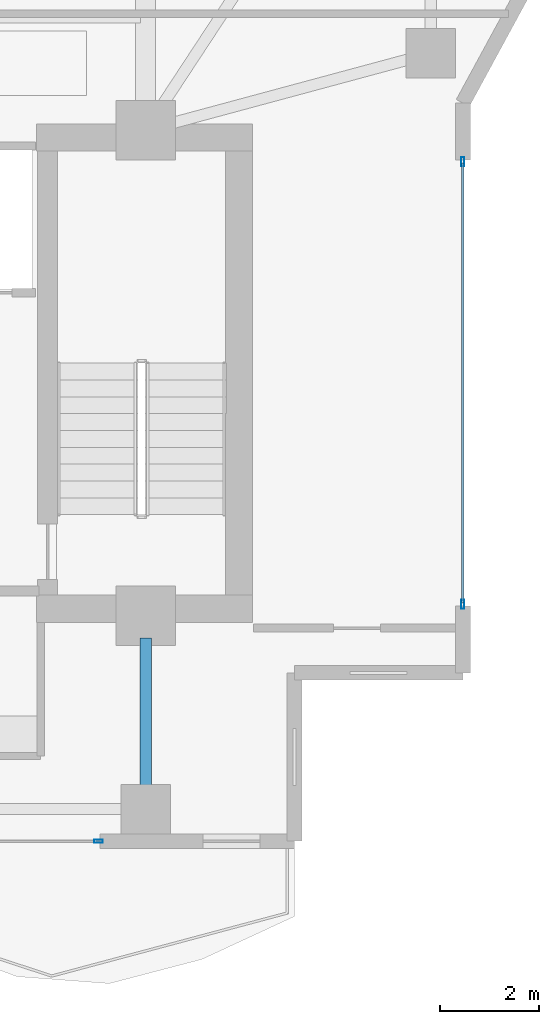
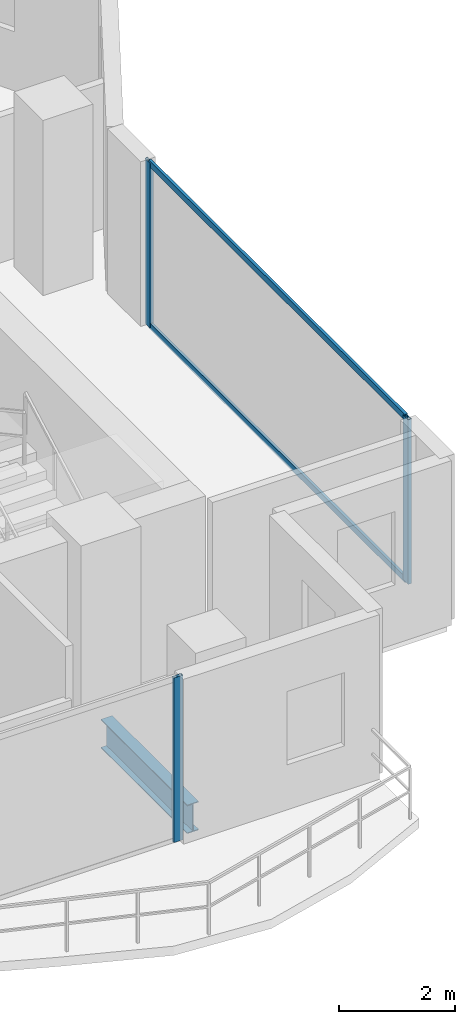
# One storey, part 10 of 24: 5 members, 1 beam, 2 elements without a shape of their own.
"""IFC4 building model written with IfcOpenShell, lengths in metres."""

from ifc_helpers import new_model, si_unit, direction, frame, origin, origin_2d, place, context, subcontext, project, spatial, hollow_rectangle, i_section, extrude, material, layer, layer_set, material_profile, profile_set, type_object, element, aggregate, save


model = new_model("IFC4")

# Units and contexts
model_context = context("Model", 3, precision=1e-05, world=origin(), true_north=direction((0.0, 1.0)))
body_context = subcontext(model_context, "Body", "Model", "MODEL_VIEW")
ifc_project = project(units=[si_unit("LENGTHUNIT", "METRE"), si_unit("AREAUNIT", "SQUARE_METRE"), si_unit("VOLUMEUNIT", "CUBIC_METRE"), si_unit("PLANEANGLEUNIT", "RADIAN"), si_unit("MASSUNIT", "GRAM", prefix="KILO")], contexts=[model_context])

# Site, building, storey
site_placement = place(None, origin())
site = spatial("IfcSite", under=ifc_project, at=site_placement, CompositionType="ELEMENT")
building_placement = place(site_placement, origin())
building = spatial("IfcBuilding", under=site, at=building_placement, Name="Zuhayl Quay Hotel", CompositionType="ELEMENT")
storey_placement = place(building_placement, frame((0.0, 0.0, 276.64990234375)))
storey = spatial("IfcBuildingStorey", under=building, at=storey_placement, Name="L70", CompositionType="ELEMENT", Elevation=276.64990234375)

# Beam
ifc_material_1 = material(Name="Steel ASTM A992 Grade 50", Category="steel")
ifc_material_profile_1 = material_profile(ifc_material_1, i_section(OverallWidth=0.22802734375, OverallDepth=0.60693359375, WebThickness=0.01123046875, FlangeThickness=0.017333984375, at=origin_2d()), Name="W24X76")
ifc_profile_set_1 = profile_set([ifc_material_profile_1], Name="Steel ASTM A992 Grade 50")
beam_type = type_object("IfcBeamType", Name="BM_B3_W24X76", PredefinedType="BEAM", material=ifc_profile_set_1)
beam_placement = place(storey_placement, frame((13.800048828125, 1.110107421875, -0.5234375), z_axis=(0.0, 1.0, 0.0), x_axis=(-1.0, 0.0, 0.0)))
element("IfcBeam", 1, at=beam_placement, inside=storey, type_object=beam_type, Name="L70 Floor Beam FG_S_L70_4", PredefinedType="BEAM", context=body_context, shape_type="SweptSolid", body=[
    extrude(i_section(OverallWidth=0.22802734375, OverallDepth=0.60693359375, WebThickness=0.01123046875, FlangeThickness=0.017333984375, at=origin_2d()), origin(), (0.0, 0.0, 1.0), 2.989990234375),
])

# Curtain wall, members
ifc_material_2 = material(Name="Anodised Aluminium 6063-T6", Category="aluminium")
ifc_layer = layer(ifc_material_2, 0.169921875, Name="Anodised Aluminium 6063-T6", Category="aluminium")
ifc_layer_set = layer_set([ifc_layer], Name="Anodised Aluminium 6063-T6")
curtain_wall_type = type_object("IfcCurtainWallType", Name="CW_SYS_Z4", PredefinedType="USERDEFINED", material=ifc_layer_set)
curtain_wall_1_placement = place(storey_placement, origin())
curtain_wall_1 = element("IfcCurtainWall", 2, at=curtain_wall_1_placement, inside=storey, type_object=curtain_wall_type, Name="L70 Curtain Wall ENV_L70_E14_CW1", ObjectType="UNITISED CURTAIN WALL", PredefinedType="USERDEFINED")
ifc_material_3 = material(Name="Black-anodised aluminium 6063-T6", Category="aluminium")
ifc_material_profile_2 = material_profile(ifc_material_3, hollow_rectangle(XDim=0.06494140625, YDim=0.179931640625, WallThickness=0.00341796875, at=origin_2d()), Name="ALU180X65")
ifc_profile_set_2 = profile_set([ifc_material_profile_2], Name="Black-anodised aluminium 6063-T6")
member_type_1 = type_object("IfcMemberType", Name="MB_CW_MUL_180", PredefinedType="MULLION", material=ifc_profile_set_2)
member_1_placement = place(storey_placement, frame((20.199951171875, 13.717529296875, 0.0), z_axis=(0.0, 0.0, 1.0), x_axis=(1.0, 0.0, 0.0)))
member_1 = element("IfcMember", 3, at=member_1_placement, type_object=member_type_1, Name="CW-Z4 mullion 1", PredefinedType="MULLION", context=body_context, shape_type="SweptSolid", body=[
    extrude(hollow_rectangle(XDim=0.06494140625, YDim=0.179931640625, WallThickness=0.00341796875, at=origin_2d()), origin(), (0.0, 0.0, 1.0), 3.47998046875),
])
member_2_placement = place(storey_placement, frame((20.199951171875, 4.782470703125, 0.0), z_axis=(0.0, 0.0, 1.0), x_axis=(1.0, 0.0, 0.0)))
member_2 = element("IfcMember", 4, at=member_2_placement, type_object=member_type_1, Name="CW-Z4 mullion 2", PredefinedType="MULLION", context=body_context, shape_type="SweptSolid", body=[
    extrude(hollow_rectangle(XDim=0.06494140625, YDim=0.179931640625, WallThickness=0.00341796875, at=origin_2d()), origin(), (0.0, 0.0, 1.0), 3.47998046875),
])

# Curtain wall, member
curtain_wall_2_placement = place(storey_placement, origin())
curtain_wall_2 = element("IfcCurtainWall", 5, at=curtain_wall_2_placement, inside=storey, type_object=curtain_wall_type, Name="L70 Curtain Wall ENV_L70_S_CW1", ObjectType="UNITISED CURTAIN WALL", PredefinedType="USERDEFINED")
member_3_placement = place(storey_placement, frame((12.847412109375, 0.0, 0.0), z_axis=(0.0, 0.0, 1.0), x_axis=(0.0, -1.0, 0.0)))
member_3 = element("IfcMember", 6, at=member_3_placement, type_object=member_type_1, Name="CW-Z4 mullion 1", PredefinedType="MULLION", context=body_context, shape_type="SweptSolid", body=[
    extrude(hollow_rectangle(XDim=0.06494140625, YDim=0.179931640625, WallThickness=0.00341796875, at=origin_2d()), origin(), (0.0, 0.0, 1.0), 3.47998046875),
])
aggregate(curtain_wall_2, [member_3])

# Member
ifc_material_profile_3 = material_profile(ifc_material_3, hollow_rectangle(XDim=0.054931640625, YDim=0.1298828125, WallThickness=0.0029296875, at=origin_2d()), Name="ALU130X55")
ifc_profile_set_3 = profile_set([ifc_material_profile_3], Name="Black-anodised aluminium 6063-T6")
member_type_2 = type_object("IfcMemberType", Name="MB_CW_TRN_130", PredefinedType="USERDEFINED", material=ifc_profile_set_3)
member_4_placement = place(storey_placement, frame((20.199951171875, 13.68505859375, 0.027587890625), z_axis=(0.0, -1.0, 0.0), x_axis=(1.0, 0.0, 0.0)))
member_4 = element("IfcMember", 7, at=member_4_placement, type_object=member_type_2, Name="CW-Z4 transom 1.1", ObjectType="TRANSOM", PredefinedType="USERDEFINED", context=body_context, shape_type="SweptSolid", body=[
    extrude(hollow_rectangle(XDim=0.054931640625, YDim=0.1298828125, WallThickness=0.0029296875, at=origin_2d()), origin(), (0.0, 0.0, 1.0), 8.8701171875),
])

member_5_placement = place(storey_placement, frame((20.199951171875, 13.68505859375, 3.45263671875), z_axis=(0.0, -1.0, 0.0), x_axis=(1.0, 0.0, 0.0)))
member_5 = element("IfcMember", 8, at=member_5_placement, type_object=member_type_2, Name="CW-Z4 transom 1.2", ObjectType="TRANSOM", PredefinedType="USERDEFINED", context=body_context, shape_type="SweptSolid", body=[
    extrude(hollow_rectangle(XDim=0.054931640625, YDim=0.1298828125, WallThickness=0.0029296875, at=origin_2d()), origin(), (0.0, 0.0, 1.0), 8.8701171875),
])

aggregate(curtain_wall_1, [member_1, member_2, member_4, member_5])

save(model, "model.ifc")
